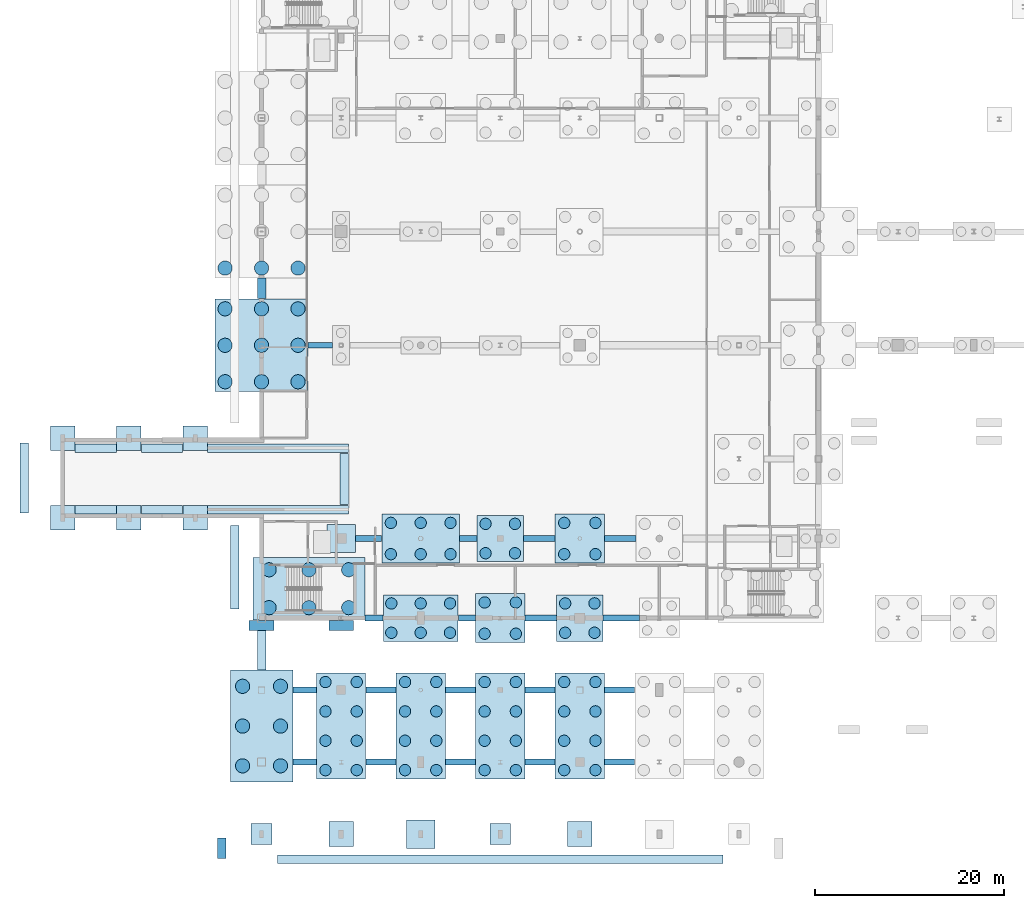
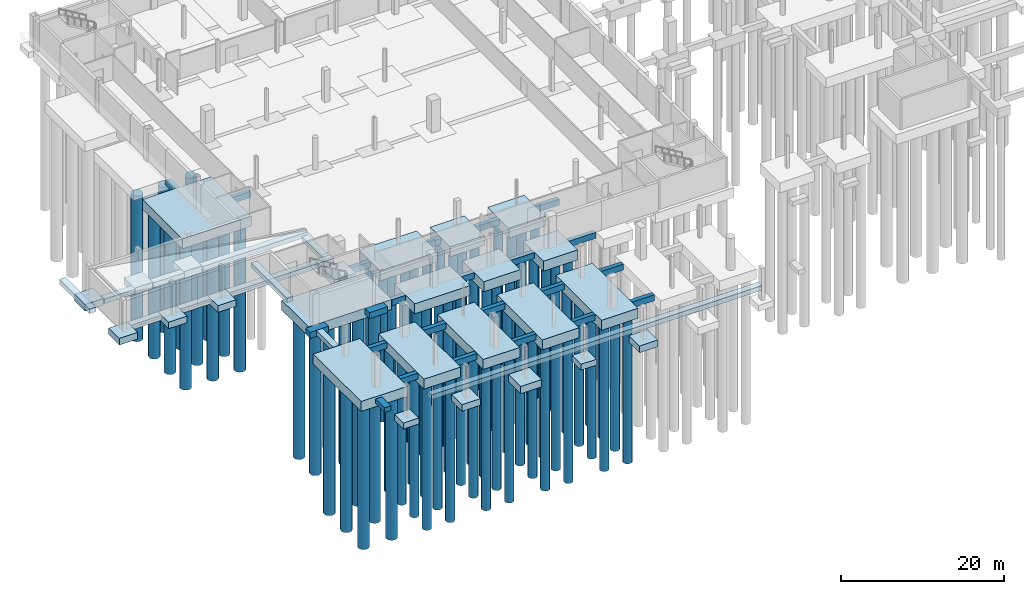
# One storey, part 1 of 34: 84 piles, 59 footings.
"""IFC4 building model written with IfcOpenShell, lengths in metres."""

from ifc_helpers import new_model, si_unit, direction, frame, origin, origin_2d, place, context, subcontext, project, spatial, rectangle, circle, extrude, material, material_profile, profile_set, type_object, element, save


model = new_model("IFC4")

# Units and contexts
model_context = context("Model", 3, precision=1e-05, world=origin(), true_north=direction((0.0, 1.0)))
body_context = subcontext(model_context, "Body", "Model", "MODEL_VIEW")
ifc_project = project(units=[si_unit("LENGTHUNIT", "METRE"), si_unit("AREAUNIT", "SQUARE_METRE"), si_unit("VOLUMEUNIT", "CUBIC_METRE"), si_unit("PLANEANGLEUNIT", "RADIAN"), si_unit("MASSUNIT", "GRAM", prefix="KILO")], contexts=[model_context])

# Site, building, storey
site_placement = place(None, origin())
site = spatial("IfcSite", under=ifc_project, at=site_placement, CompositionType="ELEMENT")
building_placement = place(site_placement, origin())
building = spatial("IfcBuilding", under=site, at=building_placement, Name="Larkvane Passage Sports Hall", CompositionType="ELEMENT")
storey_placement = place(building_placement, frame((0.0, 0.0, -4.800048828125)))
storey = spatial("IfcBuildingStorey", under=building, at=storey_placement, Name="B01", CompositionType="ELEMENT", Elevation=-4.800048828125)

# Footings
ifc_material = material(Name="Concrete C40/50", Category="concrete")
footing_type_1 = type_object("IfcFootingType", Name="CAP-4P-400x400", PredefinedType="PILE_CAP", material=ifc_material)
for number, where, z_axis, x_axis, name in (
    (1, (60.0, 31.199951171875, -1.5), (0.0, 0.0, 1.0), (1.0, 0.0, 0.0), "Pile cap FDN5-CAP-9-E"),
    (2, (68.39990234375, 22.800048828125, -1.5), (0.0, 0.0, 1.0), (1.0, 0.0, 0.0), "Pile cap FDN5-CAP-10-D"),
):
    element("IfcFooting", number, at=place(storey_placement, frame(where, z_axis=z_axis, x_axis=x_axis)), inside=storey, type_object=footing_type_1, Name=name, PredefinedType="PILE_CAP", context=body_context, shape_type="SweptSolid", body=[
        extrude(rectangle(XDim=4.89990234375, YDim=4.89990234375, at=origin_2d()), origin(), (0.0, 0.0, 1.0), 1.5),
    ])
footing_type_2 = type_object("IfcFootingType", Name="CAP-4P-440x440", PredefinedType="PILE_CAP", material=ifc_material)
for number, where, z_axis, x_axis, name in (
    (3, (60.0, 22.800048828125, -1.5), (0.0, 0.0, 1.0), (1.0, 0.0, 0.0), "Pile cap FDN5-CAP-9-D"),
    (4, (68.39990234375, 31.199951171875, -1.5), (0.0, 0.0, 1.0), (1.0, 0.0, 0.0), "Pile cap FDN5-CAP-10-E"),
):
    element("IfcFooting", number, at=place(storey_placement, frame(where, z_axis=z_axis, x_axis=x_axis)), inside=storey, type_object=footing_type_2, Name=name, PredefinedType="PILE_CAP", context=body_context, shape_type="SweptSolid", body=[
        extrude(rectangle(XDim=5.199951171875, YDim=5.199951171875, at=origin_2d()), origin(), (0.0, 0.0, 1.0), 1.5),
    ])
footing_type_3 = type_object("IfcFootingType", Name="CAP-6P-580x400", PredefinedType="PILE_CAP", material=ifc_material)
footing_1_placement = place(storey_placement, frame((51.60009765625, 22.800048828125, -1.5), z_axis=(0.0, 0.0, 1.0), x_axis=(1.0, 0.0, 0.0)))
element("IfcFooting", 5, at=footing_1_placement, inside=storey, type_object=footing_type_3, Name="Pile cap FDN5-CAP-8-D", PredefinedType="PILE_CAP", context=body_context, shape_type="SweptSolid", body=[
    extrude(rectangle(XDim=7.89990234375, YDim=4.89990234375, at=origin_2d()), origin(), (0.0, 0.0, 1.0), 1.5),
])
footing_type_4 = type_object("IfcFootingType", Name="CAP-6P-640x440", PredefinedType="PILE_CAP", material=ifc_material)
footing_2_placement = place(storey_placement, frame((51.60009765625, 31.199951171875, -1.5), z_axis=(0.0, 0.0, 1.0), x_axis=(1.0, 0.0, 0.0)))
element("IfcFooting", 6, at=footing_2_placement, inside=storey, type_object=footing_type_4, Name="Pile cap FDN5-CAP-8-E", PredefinedType="PILE_CAP", context=body_context, shape_type="SweptSolid", body=[
    extrude(rectangle(XDim=8.199951171875, YDim=5.199951171875, at=origin_2d()), origin(), (0.0, 0.0, 1.0), 1.5),
])
footing_type_5 = type_object("IfcFootingType", Name="CAP-9P-720x720", PredefinedType="PILE_CAP", material=ifc_material)
footing_3_placement = place(storey_placement, frame((34.800048828125, 51.60009765625, -1.5), z_axis=(0.0, 0.0, 1.0), x_axis=(1.0, 0.0, 0.0)))
element("IfcFooting", 7, at=footing_3_placement, inside=storey, type_object=footing_type_5, Name="Pile cap FDN5-CAP-6-G", PredefinedType="PILE_CAP", context=body_context, shape_type="SweptSolid", body=[
    extrude(rectangle(XDim=9.800048828125, YDim=9.800048828125, at=origin_2d()), origin(), (0.0, 0.0, 1.0), 1.5),
])
footing_type_6 = type_object("IfcFootingType", Name="CAP-COMB-Y-520x1120", PredefinedType="PILE_CAP", material=ifc_material)
for number, where, z_axis, x_axis, name in (
    (8, (43.199951171875, 11.39990234375, -1.5), (0.0, 0.0, 1.0), (1.0, 0.0, 0.0), "Pile cap FDN5-CAP-7-BC"),
    (9, (51.60009765625, 11.39990234375, -1.5), (0.0, 0.0, 1.0), (1.0, 0.0, 0.0), "Pile cap FDN5-CAP-8-BC"),
    (10, (60.0, 11.39990234375, -1.5), (0.0, 0.0, 1.0), (1.0, 0.0, 0.0), "Pile cap FDN5-CAP-9-BC"),
    (11, (68.39990234375, 11.39990234375, -1.5), (0.0, 0.0, 1.0), (1.0, 0.0, 0.0), "Pile cap FDN5-CAP-10-BC"),
):
    element("IfcFooting", number, at=place(storey_placement, frame(where, z_axis=z_axis, x_axis=x_axis)), inside=storey, type_object=footing_type_6, Name=name, PredefinedType="PILE_CAP", context=body_context, shape_type="SweptSolid", body=[
        extrude(rectangle(XDim=5.199951171875, YDim=11.199951171875, at=origin_2d()), origin(), (0.0, 0.0, 1.0), 1.5),
    ])
footing_type_7 = type_object("IfcFootingType", Name="CAP-COMB-Y-660x1180", PredefinedType="PILE_CAP", material=ifc_material)
footing_4_placement = place(storey_placement, frame((34.800048828125, 11.39990234375, -1.5), z_axis=(0.0, 0.0, 1.0), x_axis=(1.0, 0.0, 0.0)))
element("IfcFooting", 12, at=footing_4_placement, inside=storey, type_object=footing_type_7, Name="Pile cap FDN5-CAP-6-BC", PredefinedType="PILE_CAP", context=body_context, shape_type="SweptSolid", body=[
    extrude(rectangle(XDim=6.60009765625, YDim=11.800048828125, at=origin_2d()), origin(), (0.0, 0.0, 1.0), 1.5),
])
footing_type_8 = type_object("IfcFootingType", Name="CAP-CORE-1160x660", PredefinedType="PILE_CAP", material=ifc_material)
footing_5_placement = place(storey_placement, frame((39.800048828125, 25.89990234375, -1.5), z_axis=(0.0, 0.0, 1.0), x_axis=(1.0, 0.0, 0.0)))
element("IfcFooting", 13, at=footing_5_placement, inside=storey, type_object=footing_type_8, Name="Pile cap FDN5-CORE-C1", PredefinedType="PILE_CAP", context=body_context, shape_type="SweptSolid", body=[
    extrude(rectangle(XDim=11.800048828125, YDim=6.60009765625, at=origin_2d()), origin(), (0.0, 0.0, 1.0), 1.5),
])
footing_type_9 = type_object("IfcFootingType", Name="FBM-600x900", PredefinedType="FOOTING_BEAM", material=ifc_material)
footing_6_placement = place(storey_placement, frame((39.35009765625, 7.60009765625, -0.89990234375), z_axis=(0.0, 0.0, 1.0), x_axis=(1.0, 0.0, 0.0)))
element("IfcFooting", 14, at=footing_6_placement, inside=storey, type_object=footing_type_9, Name="Ground tie beam B-001", PredefinedType="FOOTING_BEAM", context=body_context, shape_type="SweptSolid", body=[
    extrude(rectangle(XDim=2.4599609375, YDim=0.60009765625, at=origin_2d()), origin(), (0.0, 0.0, 1.0), 0.89990234375),
])
for number, where, z_axis, x_axis, name in (
    (15, (47.39990234375, 7.60009765625, -0.89990234375), (0.0, 0.0, 1.0), (1.0, 0.0, 0.0), "Ground tie beam B-002"),
    (16, (55.800048828125, 7.60009765625, -0.89990234375), (0.0, 0.0, 1.0), (1.0, 0.0, 0.0), "Ground tie beam B-003"),
    (17, (64.199951171875, 7.60009765625, -0.89990234375), (0.0, 0.0, 1.0), (1.0, 0.0, 0.0), "Ground tie beam B-004"),
    (18, (72.60009765625, 7.60009765625, -0.89990234375), (0.0, 0.0, 1.0), (1.0, 0.0, 0.0), "Ground tie beam B-005"),
):
    element("IfcFooting", number, at=place(storey_placement, frame(where, z_axis=z_axis, x_axis=x_axis)), inside=storey, type_object=footing_type_9, Name=name, PredefinedType="FOOTING_BEAM", context=body_context, shape_type="SweptSolid", body=[
        extrude(rectangle(XDim=3.159912109375, YDim=0.60009765625, at=origin_2d()), origin(), (0.0, 0.0, 1.0), 0.89990234375),
    ])
footing_7_placement = place(storey_placement, frame((39.35009765625, 15.199951171875, -0.89990234375), z_axis=(0.0, 0.0, 1.0), x_axis=(1.0, 0.0, 0.0)))
element("IfcFooting", 19, at=footing_7_placement, inside=storey, type_object=footing_type_9, Name="Ground tie beam C-007", PredefinedType="FOOTING_BEAM", context=body_context, shape_type="SweptSolid", body=[
    extrude(rectangle(XDim=2.4599609375, YDim=0.60009765625, at=origin_2d()), origin(), (0.0, 0.0, 1.0), 0.89990234375),
])
for number, where, z_axis, x_axis, name in (
    (20, (47.39990234375, 15.199951171875, -0.89990234375), (0.0, 0.0, 1.0), (1.0, 0.0, 0.0), "Ground tie beam C-008"),
    (21, (55.800048828125, 15.199951171875, -0.89990234375), (0.0, 0.0, 1.0), (1.0, 0.0, 0.0), "Ground tie beam C-009"),
    (22, (64.199951171875, 15.199951171875, -0.89990234375), (0.0, 0.0, 1.0), (1.0, 0.0, 0.0), "Ground tie beam C-010"),
    (23, (72.60009765625, 15.199951171875, -0.89990234375), (0.0, 0.0, 1.0), (1.0, 0.0, 0.0), "Ground tie beam C-011"),
):
    element("IfcFooting", number, at=place(storey_placement, frame(where, z_axis=z_axis, x_axis=x_axis)), inside=storey, type_object=footing_type_9, Name=name, PredefinedType="FOOTING_BEAM", context=body_context, shape_type="SweptSolid", body=[
        extrude(rectangle(XDim=3.159912109375, YDim=0.60009765625, at=origin_2d()), origin(), (0.0, 0.0, 1.0), 0.89990234375),
    ])
footing_8_placement = place(storey_placement, frame((46.675048828125, 22.800048828125, -0.89990234375), z_axis=(0.0, 0.0, 1.0), x_axis=(1.0, 0.0, 0.0)))
element("IfcFooting", 24, at=footing_8_placement, inside=storey, type_object=footing_type_9, Name="Ground tie beam D-013", PredefinedType="FOOTING_BEAM", context=body_context, shape_type="SweptSolid", body=[
    extrude(rectangle(XDim=1.909912109375, YDim=0.60009765625, at=origin_2d()), origin(), (0.0, 0.0, 1.0), 0.89990234375),
])
footing_9_placement = place(storey_placement, frame((56.47509765625, 22.800048828125, -0.89990234375), z_axis=(0.0, 0.0, 1.0), x_axis=(1.0, 0.0, 0.0)))
element("IfcFooting", 25, at=footing_9_placement, inside=storey, type_object=footing_type_9, Name="Ground tie beam D-014", PredefinedType="FOOTING_BEAM", context=body_context, shape_type="SweptSolid", body=[
    extrude(rectangle(XDim=1.81005859375, YDim=0.60009765625, at=origin_2d()), origin(), (0.0, 0.0, 1.0), 0.89990234375),
])
footing_10_placement = place(storey_placement, frame((64.27490234375, 22.800048828125, -0.89990234375), z_axis=(0.0, 0.0, 1.0), x_axis=(1.0, 0.0, 0.0)))
element("IfcFooting", 26, at=footing_10_placement, inside=storey, type_object=footing_type_9, Name="Ground tie beam D-015", PredefinedType="FOOTING_BEAM", context=body_context, shape_type="SweptSolid", body=[
    extrude(rectangle(XDim=3.31005859375, YDim=0.60009765625, at=origin_2d()), origin(), (0.0, 0.0, 1.0), 0.89990234375),
])
footing_11_placement = place(storey_placement, frame((72.77490234375, 22.800048828125, -0.89990234375), z_axis=(0.0, 0.0, 1.0), x_axis=(1.0, 0.0, 0.0)))
element("IfcFooting", 27, at=footing_11_placement, inside=storey, type_object=footing_type_9, Name="Ground tie beam D-016", PredefinedType="FOOTING_BEAM", context=body_context, shape_type="SweptSolid", body=[
    extrude(rectangle(XDim=3.81005859375, YDim=0.60009765625, at=origin_2d()), origin(), (0.0, 0.0, 1.0), 0.89990234375),
])
footing_12_placement = place(storey_placement, frame((46.10009765625, 31.199951171875, -0.89990234375), z_axis=(0.0, 0.0, 1.0), x_axis=(1.0, 0.0, 0.0)))
element("IfcFooting", 28, at=footing_12_placement, inside=storey, type_object=footing_type_9, Name="Ground tie beam E-019", PredefinedType="FOOTING_BEAM", context=body_context, shape_type="SweptSolid", body=[
    extrude(rectangle(XDim=2.760009765625, YDim=0.60009765625, at=origin_2d()), origin(), (0.0, 0.0, 1.0), 0.89990234375),
])
footing_13_placement = place(storey_placement, frame((56.625, 31.199951171875, -0.89990234375), z_axis=(0.0, 0.0, 1.0), x_axis=(1.0, 0.0, 0.0)))
element("IfcFooting", 29, at=footing_13_placement, inside=storey, type_object=footing_type_9, Name="Ground tie beam E-020", PredefinedType="FOOTING_BEAM", context=body_context, shape_type="SweptSolid", body=[
    extrude(rectangle(XDim=1.81005859375, YDim=0.60009765625, at=origin_2d()), origin(), (0.0, 0.0, 1.0), 0.89990234375),
])
for number, where, z_axis, x_axis, name in (
    (30, (64.125, 31.199951171875, -0.89990234375), (0.0, 0.0, 1.0), (1.0, 0.0, 0.0), "Ground tie beam E-021"),
    (31, (72.675048828125, 31.199951171875, -0.89990234375), (0.0, 0.0, 1.0), (1.0, 0.0, 0.0), "Ground tie beam E-022"),
):
    element("IfcFooting", number, at=place(storey_placement, frame(where, z_axis=z_axis, x_axis=x_axis)), inside=storey, type_object=footing_type_9, Name=name, PredefinedType="FOOTING_BEAM", context=body_context, shape_type="SweptSolid", body=[
        extrude(rectangle(XDim=3.31005859375, YDim=0.60009765625, at=origin_2d()), origin(), (0.0, 0.0, 1.0), 0.89990234375),
    ])
footing_14_placement = place(storey_placement, frame((41.0, 51.60009765625, -0.89990234375), z_axis=(0.0, 0.0, 1.0), x_axis=(1.0, 0.0, 0.0)))
element("IfcFooting", 32, at=footing_14_placement, inside=storey, type_object=footing_type_9, Name="Ground tie beam G-028", PredefinedType="FOOTING_BEAM", context=body_context, shape_type="SweptSolid", body=[
    extrude(rectangle(XDim=2.56005859375, YDim=0.60009765625, at=origin_2d()), origin(), (0.0, 0.0, 1.0), 0.89990234375),
])
footing_type_10 = type_object("IfcFootingType", Name="PAD-220x220x90", PredefinedType="PAD_FOOTING", material=ifc_material)
for number, where, z_axis, x_axis, name in (
    (33, (34.800048828125, 22.030029296875, -0.89990234375), (0.0, 0.0, 1.0), (1.0, 0.0, 0.0), "Tailored pad footing FDN5-CAP-6-D"),
    (34, (43.199951171875, 22.030029296875, -0.89990234375), (0.0, 0.0, 1.0), (1.0, 0.0, 0.0), "Tailored pad footing FDN5-CAP-7-D"),
):
    element("IfcFooting", number, at=place(storey_placement, frame(where, z_axis=z_axis, x_axis=x_axis)), inside=storey, type_object=footing_type_10, Name=name, PredefinedType="PAD_FOOTING", context=body_context, shape_type="SweptSolid", body=[
        extrude(rectangle(XDim=2.60009765625, YDim=1.06005859375, at=origin_2d()), origin(), (0.0, 0.0, 1.0), 0.89990234375),
    ])
for number, where, z_axis, x_axis, name in (
    (35, (34.800048828125, 0.0, -0.89990234375), (0.0, 0.0, 1.0), (1.0, 0.0, 0.0), "Isolated pad footing FDN5-PAD-6-A"),
    (36, (60.0, 0.0, -0.89990234375), (0.0, 0.0, 1.0), (1.0, 0.0, 0.0), "Isolated pad footing FDN5-PAD-9-A"),
):
    element("IfcFooting", number, at=place(storey_placement, frame(where, z_axis=z_axis, x_axis=x_axis)), inside=storey, type_object=footing_type_10, Name=name, PredefinedType="PAD_FOOTING", context=body_context, shape_type="SweptSolid", body=[
        extrude(rectangle(XDim=2.199951171875, YDim=2.199951171875, at=origin_2d()), origin(), (0.0, 0.0, 1.0), 0.89990234375),
    ])
footing_type_11 = type_object("IfcFootingType", Name="PAD-260x260x100", PredefinedType="PAD_FOOTING", material=ifc_material)
for number, where, z_axis, x_axis, name in (
    (37, (43.199951171875, 0.0, -1.0), (0.0, 0.0, 1.0), (1.0, 0.0, 0.0), "Isolated pad footing FDN5-PAD-7-A"),
    (38, (68.39990234375, 0.0, -1.0), (0.0, 0.0, 1.0), (1.0, 0.0, 0.0), "Isolated pad footing FDN5-PAD-10-A"),
    (39, (13.800048828125, 33.39990234375, -1.0), (0.0, 0.0, 1.0), (1.0, 0.0, 0.0), "Ramp portal pad footing FDN5-RMP-3-S"),
    (40, (13.800048828125, 41.800048828125, -1.0), (0.0, 0.0, 1.0), (1.0, 0.0, 0.0), "Ramp portal pad footing FDN5-RMP-3-N"),
    (41, (20.800048828125, 33.39990234375, -1.0), (0.0, 0.0, 1.0), (1.0, 0.0, 0.0), "Ramp portal pad footing FDN5-RMP-4-S"),
    (42, (20.800048828125, 41.800048828125, -1.0), (0.0, 0.0, 1.0), (1.0, 0.0, 0.0), "Ramp portal pad footing FDN5-RMP-4-N"),
    (43, (27.800048828125, 33.39990234375, -1.0), (0.0, 0.0, 1.0), (1.0, 0.0, 0.0), "Ramp portal pad footing FDN5-RMP-5-S"),
    (44, (27.800048828125, 41.800048828125, -1.0), (0.0, 0.0, 1.0), (1.0, 0.0, 0.0), "Ramp portal pad footing FDN5-RMP-5-N"),
):
    element("IfcFooting", number, at=place(storey_placement, frame(where, z_axis=z_axis, x_axis=x_axis)), inside=storey, type_object=footing_type_11, Name=name, PredefinedType="PAD_FOOTING", context=body_context, shape_type="SweptSolid", body=[
        extrude(rectangle(XDim=2.60009765625, YDim=2.60009765625, at=origin_2d()), origin(), (0.0, 0.0, 1.0), 1.0),
    ])
footing_type_12 = type_object("IfcFootingType", Name="PAD-300x300x110", PredefinedType="PAD_FOOTING", material=ifc_material)
for number, where, z_axis, x_axis, name in (
    (45, (43.199951171875, 31.199951171875, -1.10009765625), (0.0, 0.0, 1.0), (1.0, 0.0, 0.0), "Column pad footing FDN5-CAP-7-E"),
    (46, (51.60009765625, 0.0, -1.10009765625), (0.0, 0.0, 1.0), (1.0, 0.0, 0.0), "Isolated pad footing FDN5-PAD-8-A"),
):
    element("IfcFooting", number, at=place(storey_placement, frame(where, z_axis=z_axis, x_axis=x_axis)), inside=storey, type_object=footing_type_12, Name=name, PredefinedType="PAD_FOOTING", context=body_context, shape_type="SweptSolid", body=[
        extrude(rectangle(XDim=3.0, YDim=3.0, at=origin_2d()), origin(), (0.0, 0.0, 1.0), 1.10009765625),
    ])

# Piles
ifc_material_profile_1 = material_profile(ifc_material, circle(Radius=0.60009765625, at=origin_2d()), Name="PILE-D1200")
ifc_profile_set_1 = profile_set([ifc_material_profile_1], Name="Concrete C40/50")
pile_type_1 = type_object("IfcPileType", Name="PIL-BORED-D1200", PredefinedType="BORED", material=ifc_profile_set_1)
for number, where, z_axis, x_axis, name in (
    (47, (41.550048828125, 6.75, -1.349853515625), (0.0, 0.0, -1.0), (1.0, 0.0, 0.0), "Bored pile FDN5-CAP-7-BC-P01"),
    (48, (41.550048828125, 9.85009765625, -1.349853515625), (0.0, 0.0, -1.0), (1.0, 0.0, 0.0), "Bored pile FDN5-CAP-7-BC-P02"),
    (49, (41.550048828125, 12.949951171875, -1.349853515625), (0.0, 0.0, -1.0), (1.0, 0.0, 0.0), "Bored pile FDN5-CAP-7-BC-P03"),
    (50, (41.550048828125, 16.050048828125, -1.349853515625), (0.0, 0.0, -1.0), (1.0, 0.0, 0.0), "Bored pile FDN5-CAP-7-BC-P04"),
    (51, (44.85009765625, 6.75, -1.349853515625), (0.0, 0.0, -1.0), (1.0, 0.0, 0.0), "Bored pile FDN5-CAP-7-BC-P05"),
    (52, (44.85009765625, 9.85009765625, -1.349853515625), (0.0, 0.0, -1.0), (1.0, 0.0, 0.0), "Bored pile FDN5-CAP-7-BC-P06"),
    (53, (44.85009765625, 12.949951171875, -1.349853515625), (0.0, 0.0, -1.0), (1.0, 0.0, 0.0), "Bored pile FDN5-CAP-7-BC-P07"),
    (54, (44.85009765625, 16.050048828125, -1.349853515625), (0.0, 0.0, -1.0), (1.0, 0.0, 0.0), "Bored pile FDN5-CAP-7-BC-P08"),
    (55, (49.949951171875, 6.75, -1.349853515625), (0.0, 0.0, -1.0), (1.0, 0.0, 0.0), "Bored pile FDN5-CAP-8-BC-P01"),
    (56, (49.949951171875, 9.85009765625, -1.349853515625), (0.0, 0.0, -1.0), (1.0, 0.0, 0.0), "Bored pile FDN5-CAP-8-BC-P02"),
    (57, (49.949951171875, 12.949951171875, -1.349853515625), (0.0, 0.0, -1.0), (1.0, 0.0, 0.0), "Bored pile FDN5-CAP-8-BC-P03"),
    (58, (49.949951171875, 16.050048828125, -1.349853515625), (0.0, 0.0, -1.0), (1.0, 0.0, 0.0), "Bored pile FDN5-CAP-8-BC-P04"),
    (59, (53.25, 6.75, -1.349853515625), (0.0, 0.0, -1.0), (1.0, 0.0, 0.0), "Bored pile FDN5-CAP-8-BC-P05"),
    (60, (53.25, 9.85009765625, -1.349853515625), (0.0, 0.0, -1.0), (1.0, 0.0, 0.0), "Bored pile FDN5-CAP-8-BC-P06"),
    (61, (53.25, 12.949951171875, -1.349853515625), (0.0, 0.0, -1.0), (1.0, 0.0, 0.0), "Bored pile FDN5-CAP-8-BC-P07"),
    (62, (53.25, 16.050048828125, -1.349853515625), (0.0, 0.0, -1.0), (1.0, 0.0, 0.0), "Bored pile FDN5-CAP-8-BC-P08"),
    (63, (58.35009765625, 6.75, -1.349853515625), (0.0, 0.0, -1.0), (1.0, 0.0, 0.0), "Bored pile FDN5-CAP-9-BC-P01"),
    (64, (58.35009765625, 9.85009765625, -1.349853515625), (0.0, 0.0, -1.0), (1.0, 0.0, 0.0), "Bored pile FDN5-CAP-9-BC-P02"),
    (65, (58.35009765625, 12.949951171875, -1.349853515625), (0.0, 0.0, -1.0), (1.0, 0.0, 0.0), "Bored pile FDN5-CAP-9-BC-P03"),
    (66, (58.35009765625, 16.050048828125, -1.349853515625), (0.0, 0.0, -1.0), (1.0, 0.0, 0.0), "Bored pile FDN5-CAP-9-BC-P04"),
    (67, (61.64990234375, 6.75, -1.349853515625), (0.0, 0.0, -1.0), (1.0, 0.0, 0.0), "Bored pile FDN5-CAP-9-BC-P05"),
    (68, (61.64990234375, 9.85009765625, -1.349853515625), (0.0, 0.0, -1.0), (1.0, 0.0, 0.0), "Bored pile FDN5-CAP-9-BC-P06"),
    (69, (61.64990234375, 12.949951171875, -1.349853515625), (0.0, 0.0, -1.0), (1.0, 0.0, 0.0), "Bored pile FDN5-CAP-9-BC-P07"),
    (70, (61.64990234375, 16.050048828125, -1.349853515625), (0.0, 0.0, -1.0), (1.0, 0.0, 0.0), "Bored pile FDN5-CAP-9-BC-P08"),
    (71, (66.75, 6.75, -1.349853515625), (0.0, 0.0, -1.0), (1.0, 0.0, 0.0), "Bored pile FDN5-CAP-10-BC-P01"),
    (72, (66.75, 9.85009765625, -1.349853515625), (0.0, 0.0, -1.0), (1.0, 0.0, 0.0), "Bored pile FDN5-CAP-10-BC-P02"),
    (73, (66.75, 12.949951171875, -1.349853515625), (0.0, 0.0, -1.0), (1.0, 0.0, 0.0), "Bored pile FDN5-CAP-10-BC-P03"),
    (74, (66.75, 16.050048828125, -1.349853515625), (0.0, 0.0, -1.0), (1.0, 0.0, 0.0), "Bored pile FDN5-CAP-10-BC-P04"),
    (75, (70.050048828125, 6.75, -1.349853515625), (0.0, 0.0, -1.0), (1.0, 0.0, 0.0), "Bored pile FDN5-CAP-10-BC-P05"),
    (76, (70.050048828125, 9.85009765625, -1.349853515625), (0.0, 0.0, -1.0), (1.0, 0.0, 0.0), "Bored pile FDN5-CAP-10-BC-P06"),
    (77, (70.050048828125, 12.949951171875, -1.349853515625), (0.0, 0.0, -1.0), (1.0, 0.0, 0.0), "Bored pile FDN5-CAP-10-BC-P07"),
    (78, (70.050048828125, 16.050048828125, -1.349853515625), (0.0, 0.0, -1.0), (1.0, 0.0, 0.0), "Bored pile FDN5-CAP-10-BC-P08"),
    (79, (48.5, 21.25, -1.349853515625), (0.0, 0.0, -1.0), (1.0, 0.0, 0.0), "Bored pile FDN5-CAP-8-D-P01"),
    (80, (51.60009765625, 21.25, -1.349853515625), (0.0, 0.0, -1.0), (1.0, 0.0, 0.0), "Bored pile FDN5-CAP-8-D-P02"),
    (81, (54.699951171875, 21.25, -1.349853515625), (0.0, 0.0, -1.0), (1.0, 0.0, 0.0), "Bored pile FDN5-CAP-8-D-P03"),
    (82, (48.5, 24.35009765625, -1.349853515625), (0.0, 0.0, -1.0), (1.0, 0.0, 0.0), "Bored pile FDN5-CAP-8-D-P04"),
    (83, (51.60009765625, 24.35009765625, -1.349853515625), (0.0, 0.0, -1.0), (1.0, 0.0, 0.0), "Bored pile FDN5-CAP-8-D-P05"),
    (84, (54.699951171875, 24.35009765625, -1.349853515625), (0.0, 0.0, -1.0), (1.0, 0.0, 0.0), "Bored pile FDN5-CAP-8-D-P06"),
    (85, (48.449951171875, 29.550048828125, -1.349853515625), (0.0, 0.0, -1.0), (1.0, 0.0, 0.0), "Bored pile FDN5-CAP-8-E-P01"),
    (86, (51.60009765625, 29.550048828125, -1.349853515625), (0.0, 0.0, -1.0), (1.0, 0.0, 0.0), "Bored pile FDN5-CAP-8-E-P02"),
    (87, (54.75, 29.550048828125, -1.349853515625), (0.0, 0.0, -1.0), (1.0, 0.0, 0.0), "Bored pile FDN5-CAP-8-E-P03"),
    (88, (48.449951171875, 32.85009765625, -1.349853515625), (0.0, 0.0, -1.0), (1.0, 0.0, 0.0), "Bored pile FDN5-CAP-8-E-P04"),
    (89, (51.60009765625, 32.85009765625, -1.349853515625), (0.0, 0.0, -1.0), (1.0, 0.0, 0.0), "Bored pile FDN5-CAP-8-E-P05"),
    (90, (54.75, 32.85009765625, -1.349853515625), (0.0, 0.0, -1.0), (1.0, 0.0, 0.0), "Bored pile FDN5-CAP-8-E-P06"),
    (91, (58.35009765625, 21.14990234375, -1.349853515625), (0.0, 0.0, -1.0), (1.0, 0.0, 0.0), "Bored pile FDN5-CAP-9-D-P01"),
    (92, (61.64990234375, 21.14990234375, -1.349853515625), (0.0, 0.0, -1.0), (1.0, 0.0, 0.0), "Bored pile FDN5-CAP-9-D-P02"),
    (93, (58.35009765625, 24.449951171875, -1.349853515625), (0.0, 0.0, -1.0), (1.0, 0.0, 0.0), "Bored pile FDN5-CAP-9-D-P03"),
    (94, (61.64990234375, 24.449951171875, -1.349853515625), (0.0, 0.0, -1.0), (1.0, 0.0, 0.0), "Bored pile FDN5-CAP-9-D-P04"),
    (95, (58.449951171875, 29.64990234375, -1.349853515625), (0.0, 0.0, -1.0), (1.0, 0.0, 0.0), "Bored pile FDN5-CAP-9-E-P01"),
    (96, (61.550048828125, 29.64990234375, -1.349853515625), (0.0, 0.0, -1.0), (1.0, 0.0, 0.0), "Bored pile FDN5-CAP-9-E-P02"),
    (97, (58.449951171875, 32.75, -1.349853515625), (0.0, 0.0, -1.0), (1.0, 0.0, 0.0), "Bored pile FDN5-CAP-9-E-P03"),
    (98, (61.550048828125, 32.75, -1.349853515625), (0.0, 0.0, -1.0), (1.0, 0.0, 0.0), "Bored pile FDN5-CAP-9-E-P04"),
    (99, (66.85009765625, 21.25, -1.349853515625), (0.0, 0.0, -1.0), (1.0, 0.0, 0.0), "Bored pile FDN5-CAP-10-D-P01"),
    (100, (69.949951171875, 21.25, -1.349853515625), (0.0, 0.0, -1.0), (1.0, 0.0, 0.0), "Bored pile FDN5-CAP-10-D-P02"),
    (101, (66.85009765625, 24.35009765625, -1.349853515625), (0.0, 0.0, -1.0), (1.0, 0.0, 0.0), "Bored pile FDN5-CAP-10-D-P03"),
    (102, (69.949951171875, 24.35009765625, -1.349853515625), (0.0, 0.0, -1.0), (1.0, 0.0, 0.0), "Bored pile FDN5-CAP-10-D-P04"),
    (103, (66.75, 29.550048828125, -1.349853515625), (0.0, 0.0, -1.0), (1.0, 0.0, 0.0), "Bored pile FDN5-CAP-10-E-P01"),
    (104, (70.050048828125, 29.550048828125, -1.349853515625), (0.0, 0.0, -1.0), (1.0, 0.0, 0.0), "Bored pile FDN5-CAP-10-E-P02"),
    (105, (66.75, 32.85009765625, -1.349853515625), (0.0, 0.0, -1.0), (1.0, 0.0, 0.0), "Bored pile FDN5-CAP-10-E-P03"),
    (106, (70.050048828125, 32.85009765625, -1.349853515625), (0.0, 0.0, -1.0), (1.0, 0.0, 0.0), "Bored pile FDN5-CAP-10-E-P04"),
):
    element("IfcPile", number, at=place(storey_placement, frame(where, z_axis=z_axis, x_axis=x_axis)), inside=storey, type_object=pile_type_1, Name=name, PredefinedType="BORED", context=body_context, shape_type="SweptSolid", body=[
        extrude(circle(Radius=0.60009765625, at=origin_2d()), origin(), (0.0, 0.0, 1.0), 21.85009765625),
    ])
ifc_material_profile_2 = material_profile(ifc_material, circle(Radius=0.75, at=origin_2d()), Name="PILE-D1500")
ifc_profile_set_2 = profile_set([ifc_material_profile_2], Name="Concrete C40/50")
pile_type_2 = type_object("IfcPileType", Name="PIL-BORED-D1500", PredefinedType="BORED", material=ifc_profile_set_2)
for number, where, z_axis, x_axis, name in (
    (107, (35.60009765625, 23.89990234375, -1.349853515625), (0.0, 0.0, -1.0), (1.0, 0.0, 0.0), "Bored pile FDN5-CORE-C1-P01"),
    (108, (35.60009765625, 27.89990234375, -1.349853515625), (0.0, 0.0, -1.0), (1.0, 0.0, 0.0), "Bored pile FDN5-CORE-C1-P02"),
    (109, (39.800048828125, 23.89990234375, -1.349853515625), (0.0, 0.0, -1.0), (1.0, 0.0, 0.0), "Bored pile FDN5-CORE-C1-P03"),
    (110, (39.800048828125, 27.89990234375, -1.349853515625), (0.0, 0.0, -1.0), (1.0, 0.0, 0.0), "Bored pile FDN5-CORE-C1-P04"),
    (111, (44.0, 23.89990234375, -1.349853515625), (0.0, 0.0, -1.0), (1.0, 0.0, 0.0), "Bored pile FDN5-CORE-C1-P05"),
    (112, (44.0, 27.89990234375, -1.349853515625), (0.0, 0.0, -1.0), (1.0, 0.0, 0.0), "Bored pile FDN5-CORE-C1-P06"),
    (113, (32.800048828125, 7.199951171875, -1.349853515625), (0.0, 0.0, -1.0), (1.0, 0.0, 0.0), "Bored pile FDN5-CAP-6-BC-P01"),
    (114, (32.800048828125, 11.39990234375, -1.349853515625), (0.0, 0.0, -1.0), (1.0, 0.0, 0.0), "Bored pile FDN5-CAP-6-BC-P02"),
    (115, (32.800048828125, 15.60009765625, -1.349853515625), (0.0, 0.0, -1.0), (1.0, 0.0, 0.0), "Bored pile FDN5-CAP-6-BC-P03"),
    (116, (36.800048828125, 7.199951171875, -1.349853515625), (0.0, 0.0, -1.0), (1.0, 0.0, 0.0), "Bored pile FDN5-CAP-6-BC-P04"),
    (117, (36.800048828125, 11.39990234375, -1.349853515625), (0.0, 0.0, -1.0), (1.0, 0.0, 0.0), "Bored pile FDN5-CAP-6-BC-P05"),
    (118, (36.800048828125, 15.60009765625, -1.349853515625), (0.0, 0.0, -1.0), (1.0, 0.0, 0.0), "Bored pile FDN5-CAP-6-BC-P06"),
    (119, (30.949951171875, 47.75, -1.349853515625), (0.0, 0.0, -1.0), (1.0, 0.0, 0.0), "Bored pile FDN5-CAP-6-G-P01"),
    (120, (30.949951171875, 51.60009765625, -1.349853515625), (0.0, 0.0, -1.0), (1.0, 0.0, 0.0), "Bored pile FDN5-CAP-6-G-P02"),
    (121, (30.949951171875, 55.449951171875, -1.349853515625), (0.0, 0.0, -1.0), (1.0, 0.0, 0.0), "Bored pile FDN5-CAP-6-G-P03"),
    (122, (34.800048828125, 47.75, -1.349853515625), (0.0, 0.0, -1.0), (1.0, 0.0, 0.0), "Bored pile FDN5-CAP-6-G-P04"),
    (123, (34.800048828125, 51.60009765625, -1.349853515625), (0.0, 0.0, -1.0), (1.0, 0.0, 0.0), "Bored pile FDN5-CAP-6-G-P05"),
    (124, (34.800048828125, 55.449951171875, -1.349853515625), (0.0, 0.0, -1.0), (1.0, 0.0, 0.0), "Bored pile FDN5-CAP-6-G-P06"),
    (125, (38.64990234375, 47.75, -1.349853515625), (0.0, 0.0, -1.0), (1.0, 0.0, 0.0), "Bored pile FDN5-CAP-6-G-P07"),
    (126, (38.64990234375, 51.60009765625, -1.349853515625), (0.0, 0.0, -1.0), (1.0, 0.0, 0.0), "Bored pile FDN5-CAP-6-G-P08"),
    (127, (38.64990234375, 55.449951171875, -1.349853515625), (0.0, 0.0, -1.0), (1.0, 0.0, 0.0), "Bored pile FDN5-CAP-6-G-P09"),
    (128, (30.949951171875, 59.75, -1.349853515625), (0.0, 0.0, -1.0), (1.0, 0.0, 0.0), "Bored pile FDN5-CAP-6-H-P01"),
    (129, (34.800048828125, 59.75, -1.349853515625), (0.0, 0.0, -1.0), (1.0, 0.0, 0.0), "Bored pile FDN5-CAP-6-H-P04"),
    (130, (38.64990234375, 59.75, -1.349853515625), (0.0, 0.0, -1.0), (1.0, 0.0, 0.0), "Bored pile FDN5-CAP-6-H-P07"),
):
    element("IfcPile", number, at=place(storey_placement, frame(where, z_axis=z_axis, x_axis=x_axis)), inside=storey, type_object=pile_type_2, Name=name, PredefinedType="BORED", context=body_context, shape_type="SweptSolid", body=[
        extrude(circle(Radius=0.75, at=origin_2d()), origin(), (0.0, 0.0, 1.0), 21.85009765625),
    ])

# Footings
footing_type_13 = type_object("IfcFootingType", Name="SFT-900x700", PredefinedType="STRIP_FOOTING", material=ifc_material)
for number, where, z_axis, x_axis, name in (
    (131, (17.300048828125, 34.25, -0.69970703125), (0.0, 0.0, 1.0), (1.0, 0.0, 0.0), "Vehicle ramp strip footing S-1"),
    (132, (24.300048828125, 34.25, -0.69970703125), (0.0, 0.0, 1.0), (1.0, 0.0, 0.0), "Vehicle ramp strip footing S-2"),
):
    element("IfcFooting", number, at=place(storey_placement, frame(where, z_axis=z_axis, x_axis=x_axis)), inside=storey, type_object=footing_type_13, Name=name, PredefinedType="STRIP_FOOTING", context=body_context, shape_type="SweptSolid", body=[
        extrude(rectangle(XDim=4.360107421875, YDim=0.89990234375, at=origin_2d()), origin(), (0.0, 0.0, 1.0), 0.699951171875),
    ])
footing_15_placement = place(storey_placement, frame((36.56005859375, 34.25, -0.69970703125), z_axis=(0.0, 0.0, 1.0), x_axis=(1.0, 0.0, 0.0)))
element("IfcFooting", 133, at=footing_15_placement, inside=storey, type_object=footing_type_13, Name="Vehicle ramp strip footing S-3", PredefinedType="STRIP_FOOTING", context=body_context, shape_type="SweptSolid", body=[
    extrude(rectangle(XDim=14.8798828125, YDim=0.89990234375, at=origin_2d()), origin(), (0.0, 0.0, 1.0), 0.699951171875),
])
for number, where, z_axis, x_axis, name in (
    (134, (17.300048828125, 40.75, -0.69970703125), (0.0, 0.0, 1.0), (1.0, 0.0, 0.0), "Vehicle ramp strip footing N-1"),
    (135, (24.300048828125, 40.75, -0.69970703125), (0.0, 0.0, 1.0), (1.0, 0.0, 0.0), "Vehicle ramp strip footing N-2"),
):
    element("IfcFooting", number, at=place(storey_placement, frame(where, z_axis=z_axis, x_axis=x_axis)), inside=storey, type_object=footing_type_13, Name=name, PredefinedType="STRIP_FOOTING", context=body_context, shape_type="SweptSolid", body=[
        extrude(rectangle(XDim=4.360107421875, YDim=0.89990234375, at=origin_2d()), origin(), (0.0, 0.0, 1.0), 0.699951171875),
    ])
footing_16_placement = place(storey_placement, frame((36.56005859375, 40.75, -0.69970703125), z_axis=(0.0, 0.0, 1.0), x_axis=(1.0, 0.0, 0.0)))
element("IfcFooting", 136, at=footing_16_placement, inside=storey, type_object=footing_type_13, Name="Vehicle ramp strip footing N-3", PredefinedType="STRIP_FOOTING", context=body_context, shape_type="SweptSolid", body=[
    extrude(rectangle(XDim=14.8798828125, YDim=0.89990234375, at=origin_2d()), origin(), (0.0, 0.0, 1.0), 0.699951171875),
])
footing_17_placement = place(storey_placement, frame((43.550048828125, 37.5, -1.009765625), z_axis=(0.0, 0.0, 1.0), x_axis=(1.0, 0.0, 0.0)))
element("IfcFooting", 137, at=footing_17_placement, inside=storey, type_object=footing_type_13, Name="Vehicle ramp toe strip footing", PredefinedType="STRIP_FOOTING", context=body_context, shape_type="SweptSolid", body=[
    extrude(rectangle(XDim=0.89990234375, YDim=5.39990234375, at=origin_2d()), origin(), (0.0, 0.0, 1.0), 0.699951171875),
])
footing_18_placement = place(storey_placement, frame((9.75, 37.60009765625, 3.72998046875), z_axis=(0.0, 0.0, 1.0), x_axis=(1.0, 0.0, 0.0)))
element("IfcFooting", 138, at=footing_18_placement, inside=storey, type_object=footing_type_13, Name="Driveway apron edge strip footing", PredefinedType="STRIP_FOOTING", context=body_context, shape_type="SweptSolid", body=[
    extrude(rectangle(XDim=0.89990234375, YDim=7.39990234375, at=origin_2d()), origin(), (0.0, 0.0, 1.0), 0.699951171875),
])
footing_19_placement = place(storey_placement, frame((31.949951171875, 28.179931640625, 3.72998046875), z_axis=(0.0, 0.0, 1.0), x_axis=(1.0, 0.0, 0.0)))
element("IfcFooting", 139, at=footing_19_placement, inside=storey, type_object=footing_type_13, Name="West south exit apron strip footing", PredefinedType="STRIP_FOOTING", context=body_context, shape_type="SweptSolid", body=[
    extrude(rectangle(XDim=0.89990234375, YDim=8.800048828125, at=origin_2d()), origin(), (0.0, 0.0, 1.0), 0.699951171875),
])
footing_20_placement = place(storey_placement, frame((60.0, -2.64990234375, 3.72998046875), z_axis=(0.0, 0.0, 1.0), x_axis=(1.0, 0.0, 0.0)))
element("IfcFooting", 140, at=footing_20_placement, inside=storey, type_object=footing_type_13, Name="South arcade threshold strip footing", PredefinedType="STRIP_FOOTING", context=body_context, shape_type="SweptSolid", body=[
    extrude(rectangle(XDim=47.0, YDim=0.89990234375, at=origin_2d()), origin(), (0.0, 0.0, 1.0), 0.699951171875),
])
footing_21_placement = place(storey_placement, frame((30.60009765625, -1.5, 3.75), z_axis=(0.0, 0.0, 1.0), x_axis=(1.0, 0.0, 0.0)))
element("IfcFooting", 141, at=footing_21_placement, inside=storey, type_object=footing_type_13, Name="Accessible ramp RA-02 toe strip footing", PredefinedType="STRIP_FOOTING", context=body_context, shape_type="SweptSolid", body=[
    extrude(rectangle(XDim=0.89990234375, YDim=2.199951171875, at=origin_2d()), origin(), (0.0, 0.0, 1.0), 0.699951171875),
])
footing_22_placement = place(storey_placement, frame((34.800048828125, 19.39990234375, -0.69970703125), z_axis=(0.0, 0.0, 1.0), x_axis=(1.0, 0.0, 0.0)))
element("IfcFooting", 142, at=footing_22_placement, inside=storey, type_object=footing_type_13, Name="Foundation tie footing 6-073", PredefinedType="STRIP_FOOTING", context=body_context, shape_type="SweptSolid", body=[
    extrude(rectangle(XDim=0.89990234375, YDim=4.159912109375, at=origin_2d()), origin(), (0.0, 0.0, 1.0), 0.699951171875),
])
footing_23_placement = place(storey_placement, frame((34.800048828125, 57.60009765625, -0.69970703125), z_axis=(0.0, 0.0, 1.0), x_axis=(1.0, 0.0, 0.0)))
element("IfcFooting", 143, at=footing_23_placement, inside=storey, type_object=footing_type_13, Name="Foundation tie footing 6-074", PredefinedType="STRIP_FOOTING", context=body_context, shape_type="SweptSolid", body=[
    extrude(rectangle(XDim=0.89990234375, YDim=2.159912109375, at=origin_2d()), origin(), (0.0, 0.0, 1.0), 0.699951171875),
])

save(model, "model.ifc")
